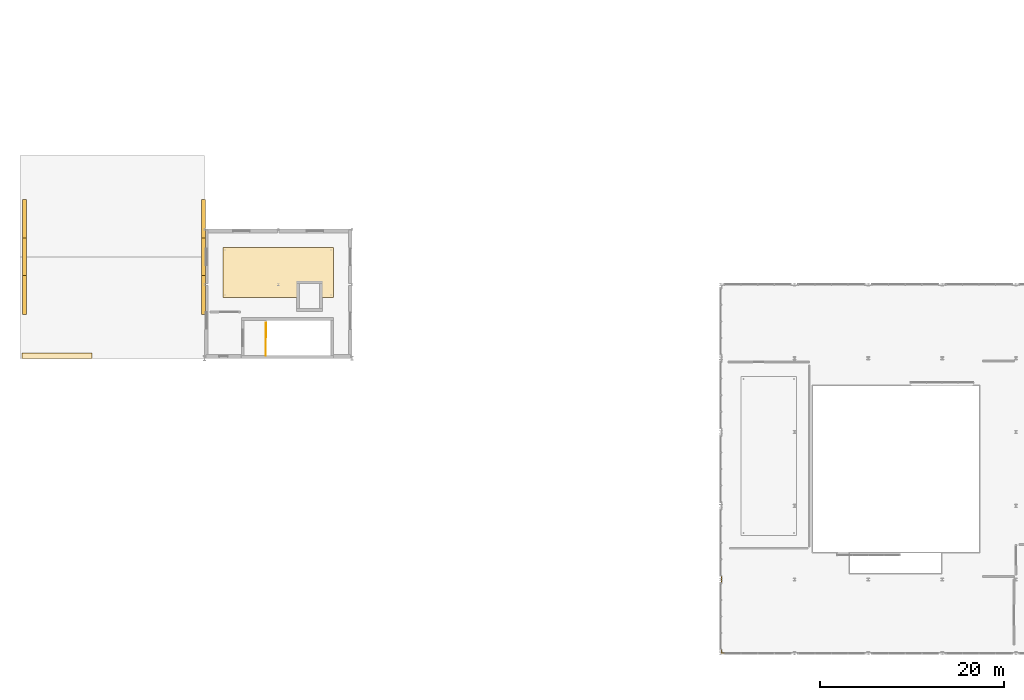
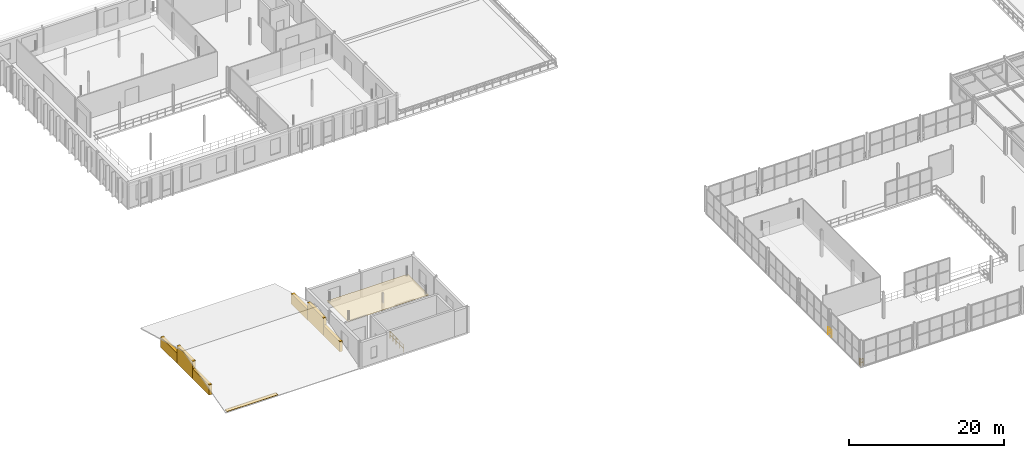
# One storey, part 58 of 67: 8 coverings, 4 railings.
"""IFC4 building model written with IfcOpenShell, lengths in metres."""

from ifc_helpers import new_model, si_unit, direction, frame, origin, origin_2d, place, context, subcontext, project, spatial, polyline, rectangle, circle, outline, extrude, material, layer, layer_set, type_object, element, save


model = new_model("IFC4")

# Units and contexts
model_context = context("Model", 3, precision=1e-05, world=origin(), true_north=direction((0.0, 1.0)))
body_context = subcontext(model_context, "Body", "Model", "MODEL_VIEW")
ifc_project = project(units=[si_unit("LENGTHUNIT", "METRE"), si_unit("AREAUNIT", "SQUARE_METRE"), si_unit("VOLUMEUNIT", "CUBIC_METRE"), si_unit("PLANEANGLEUNIT", "RADIAN"), si_unit("MASSUNIT", "GRAM", prefix="KILO")], contexts=[model_context])

# Site, building, storey
site_placement = place(None, origin())
site = spatial("IfcSite", under=ifc_project, at=site_placement, CompositionType="ELEMENT")
building_placement = place(site_placement, origin())
building = spatial("IfcBuilding", under=site, at=building_placement, Name="Sundkrona Museum", CompositionType="ELEMENT")
storey_placement = place(building_placement, frame((0.0, 0.0, 21.800048828125)))
storey = spatial("IfcBuildingStorey", under=building, at=storey_placement, Name="L04", CompositionType="ELEMENT", Elevation=21.800048828125)

# Coverings
ifc_material_1 = material(Name="Perforated Acoustic Gypsum and Mineral Wool Ceiling", Category="other")
ifc_layer_1 = layer(ifc_material_1, 0.0400390625)
ifc_layer_set_1 = layer_set([ifc_layer_1], Name="Perforated Acoustic Gypsum and Mineral Wool Ceiling")
covering_type_1 = type_object("IfcCoveringType", Name="COV-CEIL-AC", PredefinedType="CEILING", material=ifc_layer_set_1)
covering_1_placement = place(storey_placement, frame((0.0, 0.0, 2.550048828125)))
element("IfcCovering", 1, at=covering_1_placement, inside=storey, type_object=covering_type_1, Name="L04 Exhibition Archive Research Room Acoustic Ceiling", PredefinedType="CEILING", context=body_context, shape_type="SweptSolid", body=[
    extrude(outline(polyline([(26.0, 38.60009765625), (38.0, 38.60009765625), (38.0, 44.0), (26.0, 44.0), (26.0, 38.60009765625)])), origin(), (0.0, 0.0, 1.0), 0.039794921875),
])
ifc_material_2 = material(Name="Standing-Seam Patinated Copper Roofing", Category="other")
ifc_layer_2 = layer(ifc_material_2, 0.044921875)
ifc_layer_set_2 = layer_set([ifc_layer_2], Name="Standing-Seam Patinated Copper Roofing")
covering_type_2 = type_object("IfcCoveringType", Name="COV-RF-COP", PredefinedType="ROOFING", material=ifc_layer_set_2)
covering_2_placement = place(storey_placement, frame((4.47998046875, 38.89990234375, -0.27001953125), z_axis=(0.0, 0.0, 1.0), x_axis=(0.0, 1.0, 0.0)))
element("IfcCovering", 2, at=covering_2_placement, inside=storey, type_object=covering_type_2, Name="Cantilever Pavilion W Gable Tympanum 2", PredefinedType="ROOFING", context=body_context, shape_type="SweptSolid", body=[
    extrude(rectangle(XDim=4.280029296875, YDim=0.43994140625, at=origin_2d()), origin(), (0.0, 0.0, 1.0), 1.6201171875),
])
covering_3_placement = place(storey_placement, frame((4.47998046875, 43.0, -0.27001953125), z_axis=(0.0, 0.0, 1.0), x_axis=(0.0, 1.0, 0.0)))
element("IfcCovering", 3, at=covering_3_placement, inside=storey, type_object=covering_type_2, Name="Cantilever Pavilion W Gable Tympanum 3", PredefinedType="ROOFING", context=body_context, shape_type="SweptSolid", body=[
    extrude(rectangle(XDim=4.080078125, YDim=0.43994140625, at=origin_2d()), origin(), (0.0, 0.0, 1.0), 2.79296875),
])
for number, where, z_axis, x_axis, name in (
    (4, (4.47998046875, 47.10009765625, -0.27001953125), (0.0, 0.0, 1.0), (0.0, 1.0, 0.0), "Cantilever Pavilion W Gable Tympanum 4"),
    (5, (23.919921875, 38.89990234375, -0.27001953125), (0.0, 0.0, 1.0), (0.0, 1.0, 0.0), "Cantilever Pavilion E Gable Tympanum 2"),
):
    element("IfcCovering", number, at=place(storey_placement, frame(where, z_axis=z_axis, x_axis=x_axis)), inside=storey, type_object=covering_type_2, Name=name, PredefinedType="ROOFING", context=body_context, shape_type="SweptSolid", body=[
        extrude(rectangle(XDim=4.280029296875, YDim=0.43994140625, at=origin_2d()), origin(), (0.0, 0.0, 1.0), 1.6201171875),
    ])
covering_4_placement = place(storey_placement, frame((23.919921875, 43.0, -0.27001953125), z_axis=(0.0, 0.0, 1.0), x_axis=(0.0, 1.0, 0.0)))
element("IfcCovering", 6, at=covering_4_placement, inside=storey, type_object=covering_type_2, Name="Cantilever Pavilion E Gable Tympanum 3", PredefinedType="ROOFING", context=body_context, shape_type="SweptSolid", body=[
    extrude(rectangle(XDim=4.080078125, YDim=0.43994140625, at=origin_2d()), origin(), (0.0, 0.0, 1.0), 2.79296875),
])
covering_5_placement = place(storey_placement, frame((23.919921875, 47.10009765625, -0.27001953125), z_axis=(0.0, 0.0, 1.0), x_axis=(0.0, 1.0, 0.0)))
element("IfcCovering", 7, at=covering_5_placement, inside=storey, type_object=covering_type_2, Name="Cantilever Pavilion E Gable Tympanum 4", PredefinedType="ROOFING", context=body_context, shape_type="SweptSolid", body=[
    extrude(rectangle(XDim=4.280029296875, YDim=0.43994140625, at=origin_2d()), origin(), (0.0, 0.0, 1.0), 1.6201171875),
])
covering_6_placement = place(storey_placement, frame((0.0, 0.0, 0.02001953125)))
element("IfcCovering", 8, at=covering_6_placement, inside=storey, type_object=covering_type_2, Name="L04 Patinated Copper Eave Gutter Flashing (COV-COP-L04-01)", PredefinedType="ROOFING", context=body_context, shape_type="SweptSolid", body=[
    extrude(outline(polyline([(4.199951171875, 32.0), (11.800048828125, 32.0), (11.800048828125, 32.60009765625), (4.199951171875, 32.60009765625), (4.199951171875, 32.0)])), origin(), (0.0, 0.0, 1.0), 0.044921875),
])

# Railings
ifc_material_3 = material(Name="Painted Steel S355J2 and Laminated Glass Balustrade", Category="steel")
railing_type = type_object("IfcRailingType", Name="RL-GUARD-1100", PredefinedType="BALUSTRADE", material=ifc_material_3)
railing_1_placement = place(storey_placement, frame((30.64990234375, 32.300048828125, 0.0)))
element("IfcRailing", 9, at=railing_1_placement, inside=storey, type_object=railing_type, Name="L04 ST-4 top well guard 1", PredefinedType="BALUSTRADE", context=body_context, shape_type="SweptSolid", body=[
    extrude(circle(Radius=0.02392578125, at=origin_2d()), frame((0.0, 0.0, 1.076171875), z_axis=(0.0, 1.0, 0.0), x_axis=(-1.0, 0.0, 0.0)), (0.0, 0.0, 1.0), 2.0),
    extrude(circle(Radius=0.02392578125, at=origin_2d()), frame((0.0, 0.0, 0.550048828125), z_axis=(0.0, 1.0, 0.0), x_axis=(-1.0, 0.0, 0.0)), (0.0, 0.0, 1.0), 2.0),
    extrude(circle(Radius=0.02099609375, at=origin_2d()), origin(), (0.0, 0.0, 1.0), 1.052001953125),
    extrude(circle(Radius=0.02099609375, at=origin_2d()), frame((0.0, 1.0, 0.0)), (0.0, 0.0, 1.0), 1.052001953125),
    extrude(circle(Radius=0.02099609375, at=origin_2d()), frame((0.0, 2.0, 0.0)), (0.0, 0.0, 1.0), 1.052001953125),
])
railing_2_placement = place(storey_placement, frame((30.6650390625, 35.820068359375, 0.0)))
element("IfcRailing", 10, at=railing_2_placement, inside=storey, type_object=railing_type, Name="L04 Edge Protection Balustrade 002", PredefinedType="BALUSTRADE", context=body_context, shape_type="SweptSolid", body=[
    extrude(circle(Radius=0.02392578125, at=origin_2d()), frame((0.0, 0.0, 1.09619140625), z_axis=(0.0, -1.0, 0.0), x_axis=(1.0, 0.0, 0.0)), (0.0, 0.0, 1.0), 1.52001953125),
    extrude(circle(Radius=0.02392578125, at=origin_2d()), frame((0.0, 0.0, 0.56005859375), z_axis=(0.0, -1.0, 0.0), x_axis=(1.0, 0.0, 0.0)), (0.0, 0.0, 1.0), 1.52001953125),
    extrude(circle(Radius=0.02099609375, at=origin_2d()), origin(), (0.0, 0.0, 1.0), 1.072021484375),
    extrude(circle(Radius=0.02099609375, at=origin_2d()), frame((0.0, -0.760009765625, 0.0)), (0.0, 0.0, 1.0), 1.072021484375),
    extrude(circle(Radius=0.02099609375, at=origin_2d()), frame((0.0, -1.52001953125, 0.0)), (0.0, 0.0, 1.0), 1.072021484375),
])
railing_3_placement = place(storey_placement, frame((80.39990234375, 0.06005859375, 0.0)))
element("IfcRailing", 11, at=railing_3_placement, inside=storey, type_object=railing_type, Name="L04 Edge Protection Balustrade 005", PredefinedType="BALUSTRADE", context=body_context, shape_type="SweptSolid", body=[
    extrude(circle(Radius=0.02392578125, at=origin_2d()), frame((0.0, 0.0, 1.09619140625), z_axis=(-1.0, 0.0, 0.0), x_axis=(0.0, -1.0, 0.0)), (0.0, 0.0, 1.0), 0.33984375),
    extrude(circle(Radius=0.02392578125, at=origin_2d()), frame((0.0, 0.0, 0.56005859375), z_axis=(-1.0, 0.0, 0.0), x_axis=(0.0, -1.0, 0.0)), (0.0, 0.0, 1.0), 0.33984375),
    extrude(circle(Radius=0.02392578125, at=origin_2d()), frame((-0.33984375, 0.0, 1.09619140625), z_axis=(0.0, 1.0, 0.0), x_axis=(-1.0, 0.0, 0.0)), (0.0, 0.0, 1.0), 0.33984375),
    extrude(circle(Radius=0.02392578125, at=origin_2d()), frame((-0.33984375, 0.0, 0.56005859375), z_axis=(0.0, 1.0, 0.0), x_axis=(-1.0, 0.0, 0.0)), (0.0, 0.0, 1.0), 0.33984375),
    extrude(circle(Radius=0.02099609375, at=origin_2d()), origin(), (0.0, 0.0, 1.0), 1.072021484375),
    extrude(circle(Radius=0.02099609375, at=origin_2d()), frame((-0.33984375, 0.0, 0.0)), (0.0, 0.0, 1.0), 1.072021484375),
    extrude(circle(Radius=0.02099609375, at=origin_2d()), frame((-0.33984375, 0.33984375, 0.0)), (0.0, 0.0, 1.0), 1.072021484375),
])
railing_4_placement = place(storey_placement, frame((80.06005859375, 7.60009765625, 0.0)))
element("IfcRailing", 12, at=railing_4_placement, inside=storey, type_object=railing_type, Name="L04 Edge Protection Balustrade 006", PredefinedType="BALUSTRADE", context=body_context, shape_type="SweptSolid", body=[
    extrude(circle(Radius=0.02392578125, at=origin_2d()), frame((0.0, 0.0, 1.09619140625), z_axis=(0.0, 1.0, 0.0), x_axis=(-1.0, 0.0, 0.0)), (0.0, 0.0, 1.0), 0.7998046875),
    extrude(circle(Radius=0.02392578125, at=origin_2d()), frame((0.0, 0.0, 0.56005859375), z_axis=(0.0, 1.0, 0.0), x_axis=(-1.0, 0.0, 0.0)), (0.0, 0.0, 1.0), 0.7998046875),
    extrude(circle(Radius=0.02099609375, at=origin_2d()), origin(), (0.0, 0.0, 1.0), 1.072021484375),
    extrude(circle(Radius=0.02099609375, at=origin_2d()), frame((0.0, 0.7998046875, 0.0)), (0.0, 0.0, 1.0), 1.072021484375),
])

save(model, "model.ifc")
